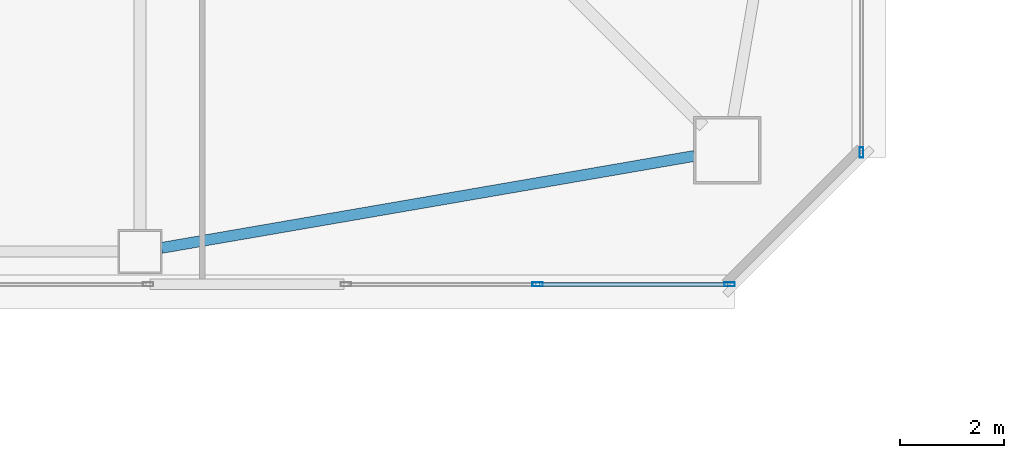
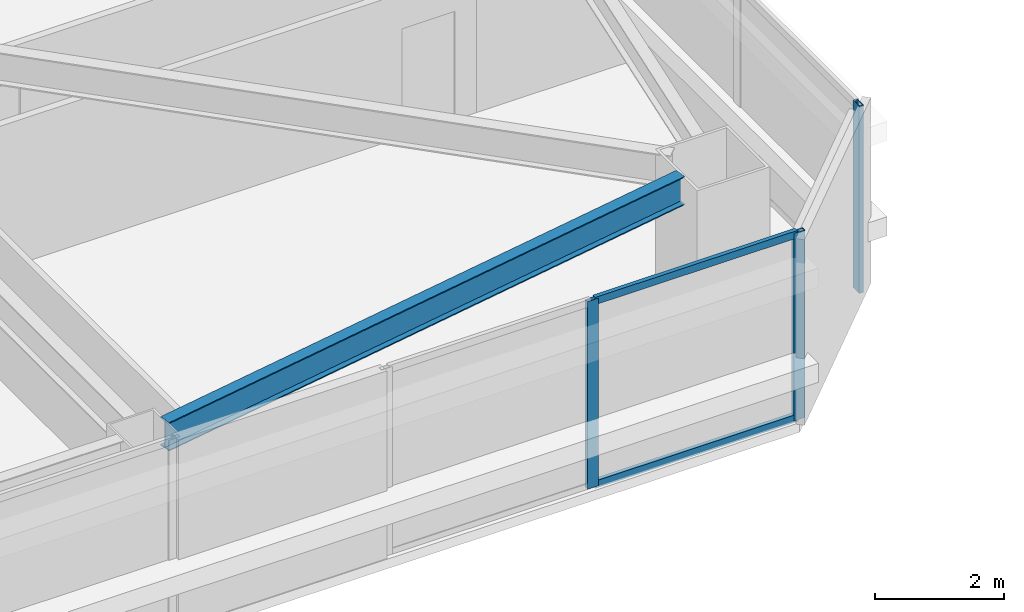
# One storey, part 7 of 46: 5 members, 1 beam, 2 elements without a shape of their own.
"""IFC4 building model written with IfcOpenShell, lengths in metres."""

from ifc_helpers import new_model, si_unit, direction, frame, origin, origin_2d, place, context, subcontext, project, spatial, hollow_rectangle, i_section, extrude, material, material_profile, profile_set, type_object, element, aggregate, save


model = new_model("IFC4")

# Units and contexts
model_context = context("Model", 3, precision=1e-05, world=origin(), true_north=direction((0.0, 1.0)))
body_context = subcontext(model_context, "Body", "Model", "MODEL_VIEW")
ifc_project = project(units=[si_unit("LENGTHUNIT", "METRE"), si_unit("AREAUNIT", "SQUARE_METRE"), si_unit("VOLUMEUNIT", "CUBIC_METRE"), si_unit("PLANEANGLEUNIT", "RADIAN"), si_unit("MASSUNIT", "GRAM", prefix="KILO")], contexts=[model_context])

# Site, building, storey
site_placement = place(None, origin())
site = spatial("IfcSite", under=ifc_project, at=site_placement, CompositionType="ELEMENT")
building_placement = place(site_placement, origin())
building = spatial("IfcBuilding", under=site, at=building_placement, Name="Tashvorn Skyway Center", CompositionType="ELEMENT")
storey_placement = place(building_placement, frame((0.0, 0.0, 132.14990234375)))
storey = spatial("IfcBuildingStorey", under=building, at=storey_placement, Name="L35", CompositionType="ELEMENT", Elevation=132.14990234375)

# Beam
ifc_material_1 = material(Name="Steel ASTM A992 Grade 50", Category="steel")
ifc_material_profile_1 = material_profile(ifc_material_1, i_section(OverallWidth=0.2109375, OverallDepth=0.5390625, WebThickness=0.01171875, FlangeThickness=0.018798828125, at=origin_2d()), Name="W21X73")
ifc_profile_set_1 = profile_set([ifc_material_profile_1], Name="Steel ASTM A992 Grade 50")
beam_type = type_object("IfcBeamType", Name="BM-SPANDREL-W21X73", PredefinedType="SPANDREL", material=ifc_profile_set_1)
beam_placement = place(storey_placement, frame((47.81396484375, 13.42138671875, 3.1005859375), z_axis=(0.985432458462, 0.170067250846, 0.0), x_axis=(-0.170067250846, 0.985432458462, 0.0)))
element("IfcBeam", 1, at=beam_placement, inside=storey, type_object=beam_type, Name="Tower 1 L35 Spandrel Beam 03", PredefinedType="SPANDREL", context=body_context, shape_type="SweptSolid", body=[
    extrude(i_section(OverallWidth=0.2109375, OverallDepth=0.5390625, WebThickness=0.01171875, FlangeThickness=0.018798828125, at=origin_2d()), origin(), (0.0, 0.0, 1.0), 10.402099609375),
])

# Curtain wall, members
ifc_material_2 = material(Name="Thermally broken bronze-anodized aluminium 6063-T6", Category="aluminium")
curtain_wall_type = type_object("IfcCurtainWallType", Name="CW-CW-Z3", PredefinedType="NOTDEFINED", material=ifc_material_2)
curtain_wall_1_placement = place(storey_placement, origin())
curtain_wall_1 = element("IfcCurtainWall", 2, at=curtain_wall_1_placement, inside=storey, type_object=curtain_wall_type, Name="Tower 1 L35 South Unitised Curtain Wall Glazing Group 1", PredefinedType="NOTDEFINED")
ifc_material_profile_2 = material_profile(ifc_material_2, hollow_rectangle(XDim=0.074951171875, YDim=0.199951171875, WallThickness=0.00439453125, at=origin_2d()), Name="ALU-MULL-75x200")
ifc_profile_set_2 = profile_set([ifc_material_profile_2], Name="Thermally broken bronze-anodized aluminium 6063-T6")
member_type_1 = type_object("IfcMemberType", Name="CWM-CW-Z3", PredefinedType="MULLION", material=ifc_profile_set_2)
member_1_placement = place(storey_placement, frame((58.742431640625, 12.719970703125, 0.0), z_axis=(0.0, 0.0, 1.0), x_axis=(0.0, -1.0, 0.0)))
member_1 = element("IfcMember", 3, at=member_1_placement, type_object=member_type_1, Name="CW-Z3 mullion 1", PredefinedType="MULLION", context=body_context, shape_type="SweptSolid", body=[
    extrude(hollow_rectangle(XDim=0.074951171875, YDim=0.199951171875, WallThickness=0.00439453125, at=origin_2d()), origin(), (0.0, 0.0, 1.0), 3.550048828125),
])
member_2_placement = place(storey_placement, frame((55.051025390625, 12.719970703125, 0.0), z_axis=(0.0, 0.0, 1.0), x_axis=(0.0, -1.0, 0.0)))
member_2 = element("IfcMember", 4, at=member_2_placement, type_object=member_type_1, Name="CW-Z3 mullion 2", PredefinedType="MULLION", context=body_context, shape_type="SweptSolid", body=[
    extrude(hollow_rectangle(XDim=0.074951171875, YDim=0.199951171875, WallThickness=0.00439453125, at=origin_2d()), origin(), (0.0, 0.0, 1.0), 3.550048828125),
])

# Curtain wall, member
curtain_wall_2_placement = place(storey_placement, origin())
curtain_wall_2 = element("IfcCurtainWall", 5, at=curtain_wall_2_placement, inside=storey, type_object=curtain_wall_type, Name="Tower 1 L35 East Unitised Curtain Wall Glazing Group 3", PredefinedType="NOTDEFINED")
member_3_placement = place(storey_placement, frame((61.280029296875, 15.257568359375, 0.0), z_axis=(0.0, 0.0, 1.0), x_axis=(1.0, 0.0, 0.0)))
member_3 = element("IfcMember", 6, at=member_3_placement, type_object=member_type_1, Name="CW-Z3 mullion 3", PredefinedType="MULLION", context=body_context, shape_type="SweptSolid", body=[
    extrude(hollow_rectangle(XDim=0.074951171875, YDim=0.199951171875, WallThickness=0.00439453125, at=origin_2d()), origin(), (0.0, 0.0, 1.0), 3.550048828125),
])
aggregate(curtain_wall_2, [member_3])

# Member
ifc_material_profile_3 = material_profile(ifc_material_2, hollow_rectangle(XDim=0.074951171875, YDim=0.139892578125, WallThickness=0.004150390625, at=origin_2d()), Name="ALU-TRAN-75x140")
ifc_profile_set_3 = profile_set([ifc_material_profile_3], Name="Thermally broken bronze-anodized aluminium 6063-T6")
member_type_2 = type_object("IfcMemberType", Name="CWT-CW-Z3", PredefinedType="USERDEFINED", material=ifc_profile_set_3)
member_4_placement = place(storey_placement, frame((58.705078125, 12.719970703125, 0.03759765625), z_axis=(-1.0, 0.0, 0.0), x_axis=(0.0, -1.0, 0.0)))
member_4 = element("IfcMember", 7, at=member_4_placement, type_object=member_type_2, Name="CW-Z3 transom 1.1", ObjectType="TRANSOM", PredefinedType="USERDEFINED", context=body_context, shape_type="SweptSolid", body=[
    extrude(hollow_rectangle(XDim=0.074951171875, YDim=0.139892578125, WallThickness=0.004150390625, at=origin_2d()), origin(), (0.0, 0.0, 1.0), 3.616455078125),
])

member_5_placement = place(storey_placement, frame((58.705078125, 12.719970703125, 3.5126953125), z_axis=(-1.0, 0.0, 0.0), x_axis=(0.0, -1.0, 0.0)))
member_5 = element("IfcMember", 8, at=member_5_placement, type_object=member_type_2, Name="CW-Z3 transom 1.2", ObjectType="TRANSOM", PredefinedType="USERDEFINED", context=body_context, shape_type="SweptSolid", body=[
    extrude(hollow_rectangle(XDim=0.074951171875, YDim=0.139892578125, WallThickness=0.004150390625, at=origin_2d()), origin(), (0.0, 0.0, 1.0), 3.616455078125),
])

aggregate(curtain_wall_1, [member_1, member_2, member_4, member_5])

save(model, "model.ifc")
